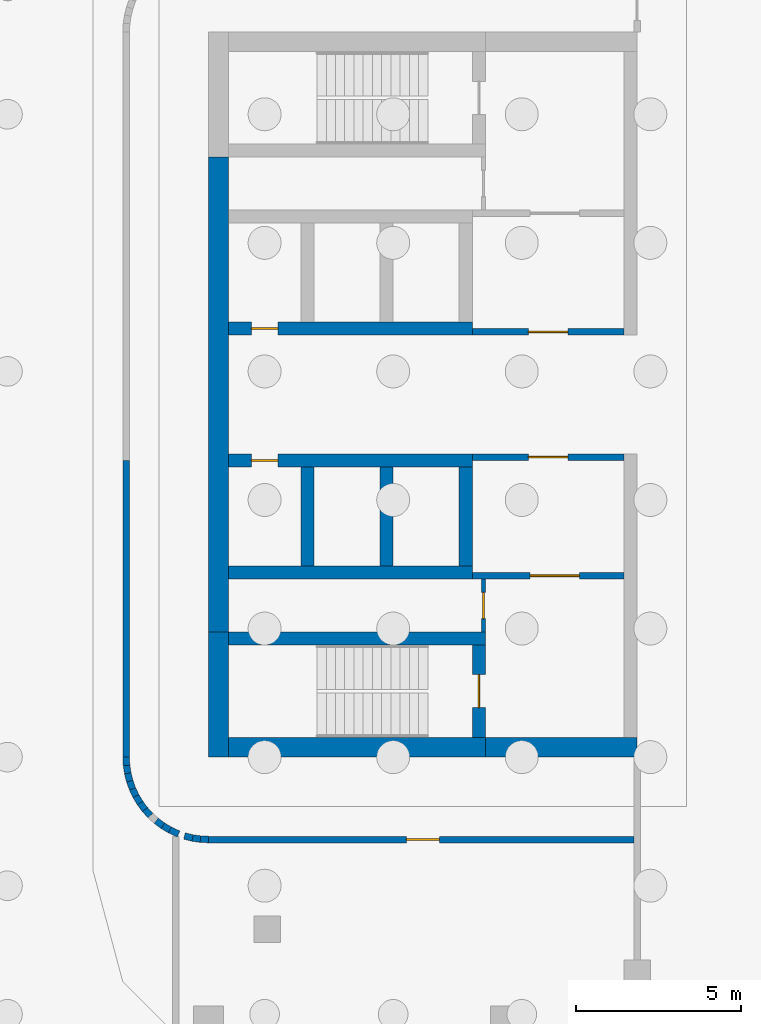
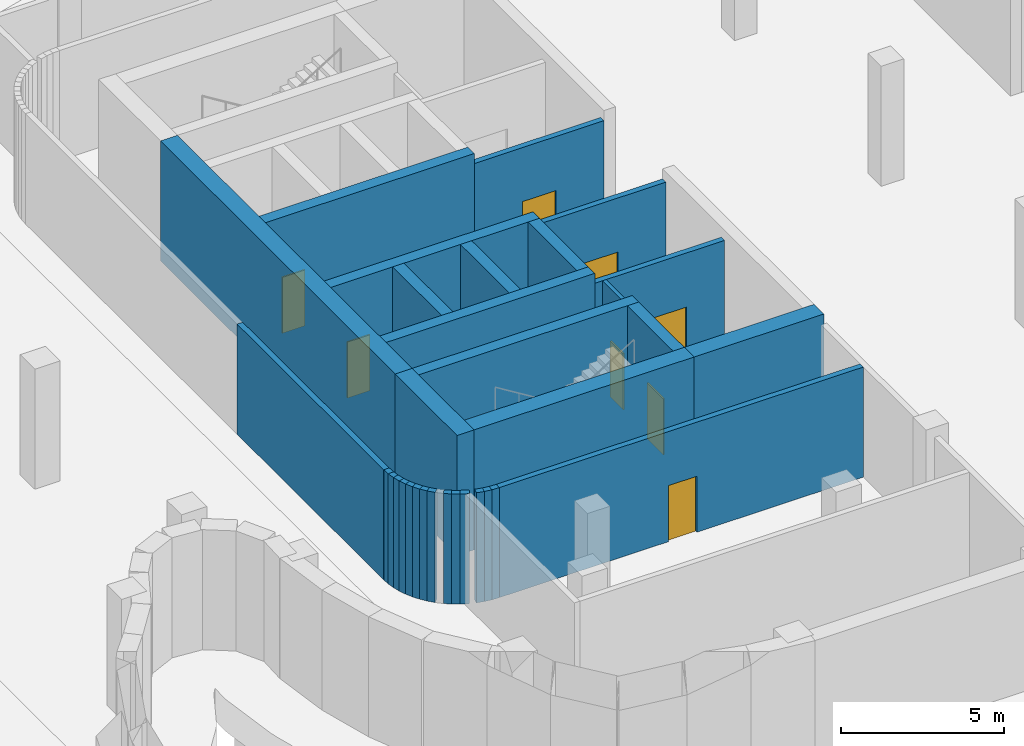
# One storey, part 9 of 18: 32 walls, 8 doors, 8 openings.
"""IFC4 building model written with IfcOpenShell, lengths in metres."""

from ifc_helpers import new_model, si_unit, direction, frame, frame_2d, origin, place, context, subcontext, project, spatial, rectangle, extrude, material, layer, layer_set, type_object, element, fill, save


model = new_model("IFC4")

# Units and contexts
model_context = context("Model", 3, precision=1e-05, world=origin(), true_north=direction((0.0, 1.0)))
body_context = subcontext(model_context, "Body", "Model", "MODEL_VIEW")
ifc_project = project(units=[si_unit("LENGTHUNIT", "METRE"), si_unit("AREAUNIT", "SQUARE_METRE"), si_unit("VOLUMEUNIT", "CUBIC_METRE"), si_unit("PLANEANGLEUNIT", "RADIAN"), si_unit("MASSUNIT", "GRAM", prefix="KILO")], contexts=[model_context])

# Site, building, storey
site_placement = place(None, origin())
site = spatial("IfcSite", under=ifc_project, at=site_placement, CompositionType="ELEMENT")
building_placement = place(site_placement, origin())
building = spatial("IfcBuilding", under=site, at=building_placement, Name="Skarvind Civic Tower", CompositionType="ELEMENT")
storey_placement = place(building_placement, frame((0.0, 0.0, -9.0)))
storey = spatial("IfcBuildingStorey", under=building, at=storey_placement, Name="B2", CompositionType="ELEMENT", Elevation=-9.0)

# Wall, opening, door
ifc_material_1 = material(Name="Fire-rated masonry partition", Category="masonry")
ifc_layer_1 = layer(ifc_material_1, 0.199951171875)
ifc_layer_set_1 = layer_set([ifc_layer_1], Name="Core enclosure wall 200")
wall_type_1 = type_object("IfcWallType", Name="Core enclosure wall 200", PredefinedType="PARTITIONING", material=ifc_layer_set_1)
wall_1_placement = place(storey_placement, frame((135.0, 129.89990234375, 0.0), z_axis=(0.0, 0.0, 1.0), x_axis=(1.0, 0.0, 0.0)))
wall_1 = element("IfcWall", 1, at=wall_1_placement, inside=storey, type_object=wall_type_1, Name="Core wall CA", PredefinedType="PARTITIONING", context=body_context, shape_type="SweptSolid", body=[
    extrude(rectangle(XDim=4.60009765625, YDim=0.199951171875, at=frame_2d((2.300048828125, 0.0))), origin(), (0.0, 0.0, 1.0), 4.125),
])
opening_1_placement = place(wall_1_placement, frame((1.699951171875, 0.0, 0.0)))
opening_1 = element("IfcOpeningElement", 2, at=opening_1_placement, cuts=wall_1, Name="Opening D-B2-CA-03", PredefinedType="OPENING", context=body_context, shape_type="SweptSolid", body=[
    extrude(rectangle(XDim=1.199951171875, YDim=2.10009765625, at=frame_2d((0.60009765625, 1.050048828125))), frame((0.0, 0.10986328125, 0.0), z_axis=(0.0, -1.0, 0.0), x_axis=(1.0, 0.0, 0.0)), (0.0, 0.0, 1.0), 0.219970703125),
])
ifc_material_2 = material(Name="Fire-rated steel door", Category="steel")
door_type_1 = type_object("IfcDoorType", Name="Core lobby door 1200", OperationType="NOTDEFINED", PredefinedType="DOOR", material=ifc_material_2)
door_1_placement = place(opening_1_placement, origin())
door_1 = element("IfcDoor", 3, at=door_1_placement, inside=storey, type_object=door_type_1, Name="Fire door", OperationType="DOUBLE_DOOR_SINGLE_SWING", OverallHeight=2.10009765625, OverallWidth=1.199951171875, PredefinedType="DOOR", context=body_context, shape_type="SweptSolid", body=[
    extrude(rectangle(XDim=1.199951171875, YDim=2.10009765625, at=frame_2d((0.60009765625, 1.050048828125))), frame((0.0, 0.02490234375, 0.0), z_axis=(0.0, -1.0, 0.0), x_axis=(1.0, 0.0, 0.0)), (0.0, 0.0, 1.0), 0.050048828125),
])
fill(opening_1, door_1)

wall_2_placement = place(storey_placement, frame((139.60009765625, 126.10009765625, 0.0), z_axis=(0.0, 0.0, 1.0), x_axis=(-1.0, 0.0, 0.0)))
wall_2 = element("IfcWall", 4, at=wall_2_placement, inside=storey, type_object=wall_type_1, Name="Core wall CA", PredefinedType="PARTITIONING", context=body_context, shape_type="SweptSolid", body=[
    extrude(rectangle(XDim=4.60009765625, YDim=0.199951171875, at=frame_2d((2.300048828125, 0.0))), origin(), (0.0, 0.0, 1.0), 4.125),
])
opening_2_placement = place(wall_2_placement, frame((1.699951171875, 0.0, 0.0)))
opening_2 = element("IfcOpeningElement", 5, at=opening_2_placement, cuts=wall_2, Name="Opening D-B2-CA-07", PredefinedType="OPENING", context=body_context, shape_type="SweptSolid", body=[
    extrude(rectangle(XDim=1.199951171875, YDim=2.10009765625, at=frame_2d((0.60009765625, 1.050048828125))), frame((0.0, 0.10986328125, 0.0), z_axis=(0.0, -1.0, 0.0), x_axis=(1.0, 0.0, 0.0)), (0.0, 0.0, 1.0), 0.219970703125),
])
door_2_placement = place(opening_2_placement, origin())
door_2 = element("IfcDoor", 6, at=door_2_placement, inside=storey, type_object=door_type_1, Name="Fire door", OperationType="DOUBLE_DOOR_SINGLE_SWING", OverallHeight=2.10009765625, OverallWidth=1.199951171875, PredefinedType="DOOR", context=body_context, shape_type="SweptSolid", body=[
    extrude(rectangle(XDim=1.199951171875, YDim=2.10009765625, at=frame_2d((0.60009765625, 1.050048828125))), frame((0.0, 0.02490234375, 0.0), z_axis=(0.0, -1.0, 0.0), x_axis=(1.0, 0.0, 0.0)), (0.0, 0.0, 1.0), 0.050048828125),
])
fill(opening_2, door_2)

wall_3_placement = place(storey_placement, frame((139.60009765625, 122.5, 0.0), z_axis=(0.0, 0.0, 1.0), x_axis=(-1.0, 0.0, 0.0)))
wall_3 = element("IfcWall", 7, at=wall_3_placement, inside=storey, type_object=wall_type_1, Name="Core wall CA", PredefinedType="PARTITIONING", context=body_context, shape_type="SweptSolid", body=[
    extrude(rectangle(XDim=4.60009765625, YDim=0.199951171875, at=frame_2d((2.300048828125, 0.0))), origin(), (0.0, 0.0, 1.0), 4.125),
])
opening_3_placement = place(wall_3_placement, frame((1.35009765625, 0.0, 0.0)))
opening_3 = element("IfcOpeningElement", 8, at=opening_3_placement, cuts=wall_3, Name="Opening D-B2-CA-08", PredefinedType="OPENING", context=body_context, shape_type="SweptSolid", body=[
    extrude(rectangle(XDim=1.5, YDim=2.10009765625, at=frame_2d((0.75, 1.050048828125))), frame((0.0, 0.10986328125, 0.0), z_axis=(0.0, -1.0, 0.0), x_axis=(1.0, 0.0, 0.0)), (0.0, 0.0, 1.0), 0.219970703125),
])
door_type_2 = type_object("IfcDoorType", Name="Fire door 1500", OperationType="NOTDEFINED", PredefinedType="DOOR", material=ifc_material_2)
door_3_placement = place(opening_3_placement, origin())
door_3 = element("IfcDoor", 9, at=door_3_placement, inside=storey, type_object=door_type_2, Name="Fire door", OperationType="DOUBLE_DOOR_SINGLE_SWING", OverallHeight=2.10009765625, OverallWidth=1.5, PredefinedType="DOOR", context=body_context, shape_type="SweptSolid", body=[
    extrude(rectangle(XDim=1.5, YDim=2.10009765625, at=frame_2d((0.75, 1.050048828125))), frame((0.0, 0.02490234375, 0.0), z_axis=(0.0, -1.0, 0.0), x_axis=(1.0, 0.0, 0.0)), (0.0, 0.0, 1.0), 0.050048828125),
])
fill(opening_3, door_3)

# Wall
ifc_material_3 = material(Name="Concrete C80", Category="concrete")
ifc_layer_2 = layer(ifc_material_3, 0.39990234375)
ifc_layer_set_2 = layer_set([ifc_layer_2], Name="Core wall 400 C80")
wall_type_2 = type_object("IfcWallType", Name="Core wall 400 C80", PredefinedType="SHEAR", material=ifc_layer_set_2)
wall_4_placement = place(storey_placement, frame((127.60009765625, 120.60009765625, 0.0), z_axis=(0.0, 0.0, 1.0), x_axis=(1.0, 0.0, 0.0)))
element("IfcWall", 10, at=wall_4_placement, inside=storey, type_object=wall_type_2, Name="Core wall CA south stair inner B2", PredefinedType="SHEAR", context=body_context, shape_type="SweptSolid", body=[
    extrude(rectangle(XDim=7.7998046875, YDim=0.39990234375, at=frame_2d((3.89990234375, 0.0))), origin(), (0.0, 0.0, 1.0), 4.5),
])

# Wall, opening, door
wall_5_placement = place(storey_placement, frame((135.199951171875, 117.60009765625, 0.0), z_axis=(0.0, 0.0, 1.0), x_axis=(0.0, 1.0, 0.0)))
wall_5 = element("IfcWall", 11, at=wall_5_placement, inside=storey, type_object=wall_type_2, Name="Core wall CA south stair end B2", PredefinedType="SHEAR", context=body_context, shape_type="SweptSolid", body=[
    extrude(rectangle(XDim=2.7998046875, YDim=0.39990234375, at=frame_2d((1.39990234375, 0.0))), origin(), (0.0, 0.0, 1.0), 4.5),
])
opening_4_placement = place(wall_5_placement, frame((0.89990234375, 0.0, 0.0)))
opening_4 = element("IfcOpeningElement", 12, at=opening_4_placement, cuts=wall_5, Name="Opening D-B2-CA-09", PredefinedType="OPENING", context=body_context, shape_type="SweptSolid", body=[
    extrude(rectangle(XDim=1.0, YDim=2.10009765625, at=frame_2d((0.5, 1.050048828125))), frame((0.0, 0.2099609375, 0.0), z_axis=(0.0, -1.0, 0.0), x_axis=(1.0, 0.0, 0.0)), (0.0, 0.0, 1.0), 0.419921875),
])
door_type_3 = type_object("IfcDoorType", Name="Fire door 1000", OperationType="NOTDEFINED", PredefinedType="DOOR", material=ifc_material_2)
door_4_placement = place(opening_4_placement, origin())
door_4 = element("IfcDoor", 13, at=door_4_placement, inside=storey, type_object=door_type_3, Name="Fire door", OperationType="SINGLE_SWING_RIGHT", OverallHeight=2.10009765625, OverallWidth=1.0, PredefinedType="DOOR", context=body_context, shape_type="SweptSolid", body=[
    extrude(rectangle(XDim=1.0, YDim=2.10009765625, at=frame_2d((0.5, 1.050048828125))), frame((0.0, 0.02490234375, 0.0), z_axis=(0.0, -1.0, 0.0), x_axis=(1.0, 0.0, 0.0)), (0.0, 0.0, 1.0), 0.050048828125),
])
fill(opening_4, door_4)

wall_6_placement = place(storey_placement, frame((127.60009765625, 126.0, 0.0), z_axis=(0.0, 0.0, 1.0), x_axis=(1.0, 0.0, 0.0)))
wall_6 = element("IfcWall", 14, at=wall_6_placement, inside=storey, type_object=wall_type_2, Name="Core wall CA south lift row front B2", PredefinedType="SHEAR", context=body_context, shape_type="SweptSolid", body=[
    extrude(rectangle(XDim=7.39990234375, YDim=0.39990234375, at=frame_2d((3.699951171875, 0.0))), origin(), (0.0, 0.0, 1.0), 4.5),
])
opening_5_placement = place(wall_6_placement, frame((0.699951171875, 0.0, 0.0)))
opening_5 = element("IfcOpeningElement", 15, at=opening_5_placement, cuts=wall_6, Name="Opening D-B2-CA-02", PredefinedType="OPENING", context=body_context, shape_type="SweptSolid", body=[
    extrude(rectangle(XDim=0.800048828125, YDim=2.10009765625, at=frame_2d((0.39990234375, 1.050048828125))), frame((0.0, 0.2099609375, 0.0), z_axis=(0.0, -1.0, 0.0), x_axis=(1.0, 0.0, 0.0)), (0.0, 0.0, 1.0), 0.419921875),
])
door_type_4 = type_object("IfcDoorType", Name="Core riser door 800", OperationType="NOTDEFINED", PredefinedType="DOOR", material=ifc_material_2)
door_5_placement = place(opening_5_placement, origin())
door_5 = element("IfcDoor", 16, at=door_5_placement, inside=storey, type_object=door_type_4, Name="Riser door", OperationType="SINGLE_SWING_RIGHT", OverallHeight=2.10009765625, OverallWidth=0.800048828125, PredefinedType="DOOR", context=body_context, shape_type="SweptSolid", body=[
    extrude(rectangle(XDim=0.800048828125, YDim=2.10009765625, at=frame_2d((0.39990234375, 1.050048828125))), frame((0.0, 0.02490234375, 0.0), z_axis=(0.0, -1.0, 0.0), x_axis=(1.0, 0.0, 0.0)), (0.0, 0.0, 1.0), 0.050048828125),
])
fill(opening_5, door_5)

# Walls
wall_7_placement = place(storey_placement, frame((127.60009765625, 122.60009765625, 0.0), z_axis=(0.0, 0.0, 1.0), x_axis=(1.0, 0.0, 0.0)))
element("IfcWall", 17, at=wall_7_placement, inside=storey, type_object=wall_type_2, Name="Core wall CA south lift row back B2", PredefinedType="SHEAR", context=body_context, shape_type="SweptSolid", body=[
    extrude(rectangle(XDim=7.39990234375, YDim=0.39990234375, at=frame_2d((3.699951171875, 0.0))), origin(), (0.0, 0.0, 1.0), 4.5),
])
for number, where, z_axis, x_axis, name in (
    (18, (130.0, 122.800048828125, 0.0), (0.0, 0.0, 1.0), (0.0, 1.0, 0.0), "Core wall CA south lift row division 1 B2"),
    (19, (132.39990234375, 122.800048828125, 0.0), (0.0, 0.0, 1.0), (0.0, 1.0, 0.0), "Core wall CA south lift row division 2 B2"),
    (20, (134.800048828125, 122.800048828125, 0.0), (0.0, 0.0, 1.0), (0.0, 1.0, 0.0), "Core wall CA south lift row division 3 B2"),
):
    element("IfcWall", number, at=place(storey_placement, frame(where, z_axis=z_axis, x_axis=x_axis)), inside=storey, type_object=wall_type_2, Name=name, PredefinedType="SHEAR", context=body_context, shape_type="SweptSolid", body=[
        extrude(rectangle(XDim=3.0, YDim=0.39990234375, at=frame_2d((1.5, 0.0))), origin(), (0.0, 0.0, 1.0), 4.5),
    ])

# Wall, opening, door
wall_8_placement = place(storey_placement, frame((127.60009765625, 130.0, 0.0), z_axis=(0.0, 0.0, 1.0), x_axis=(1.0, 0.0, 0.0)))
wall_8 = element("IfcWall", 21, at=wall_8_placement, inside=storey, type_object=wall_type_2, Name="Core wall CA north lift row front B2", PredefinedType="SHEAR", context=body_context, shape_type="SweptSolid", body=[
    extrude(rectangle(XDim=7.39990234375, YDim=0.39990234375, at=frame_2d((3.699951171875, 0.0))), origin(), (0.0, 0.0, 1.0), 4.5),
])
opening_6_placement = place(wall_8_placement, frame((0.699951171875, 0.0, 0.0)))
opening_6 = element("IfcOpeningElement", 22, at=opening_6_placement, cuts=wall_8, Name="Opening D-B2-CA-01", PredefinedType="OPENING", context=body_context, shape_type="SweptSolid", body=[
    extrude(rectangle(XDim=0.800048828125, YDim=2.10009765625, at=frame_2d((0.39990234375, 1.050048828125))), frame((0.0, 0.2099609375, 0.0), z_axis=(0.0, -1.0, 0.0), x_axis=(1.0, 0.0, 0.0)), (0.0, 0.0, 1.0), 0.419921875),
])
door_6_placement = place(opening_6_placement, origin())
door_6 = element("IfcDoor", 23, at=door_6_placement, inside=storey, type_object=door_type_4, Name="Riser door", OperationType="SINGLE_SWING_LEFT", OverallHeight=2.10009765625, OverallWidth=0.800048828125, PredefinedType="DOOR", context=body_context, shape_type="SweptSolid", body=[
    extrude(rectangle(XDim=0.800048828125, YDim=2.10009765625, at=frame_2d((0.39990234375, 1.050048828125))), frame((0.0, 0.02490234375, 0.0), z_axis=(0.0, -1.0, 0.0), x_axis=(1.0, 0.0, 0.0)), (0.0, 0.0, 1.0), 0.050048828125),
])
fill(opening_6, door_6)

# Walls
ifc_layer_3 = layer(ifc_material_3, 0.60009765625)
ifc_layer_set_3 = layer_set([ifc_layer_3], Name="Core wall 600 C80")
wall_type_3 = type_object("IfcWallType", Name="Core wall 600 C80", PredefinedType="SHEAR", material=ifc_layer_set_3)
wall_9_placement = place(storey_placement, frame((127.300048828125, 117.0, 0.0), z_axis=(0.0, 0.0, 1.0), x_axis=(0.0, 1.0, 0.0)))
element("IfcWall", 24, at=wall_9_placement, inside=storey, type_object=wall_type_3, Name="Core wall CA tip at the south stair B2", PredefinedType="SHEAR", context=body_context, shape_type="SweptSolid", body=[
    extrude(rectangle(XDim=3.800048828125, YDim=0.60009765625, at=frame_2d((1.89990234375, 0.0))), origin(), (0.0, 0.0, 1.0), 4.5),
])
wall_10_placement = place(storey_placement, frame((127.300048828125, 120.800048828125, 0.0), z_axis=(0.0, 0.0, 1.0), x_axis=(0.0, 1.0, 0.0)))
element("IfcWall", 25, at=wall_10_placement, inside=storey, type_object=wall_type_3, Name="Core wall CA tip between the stairs B2", PredefinedType="SHEAR", context=body_context, shape_type="SweptSolid", body=[
    extrude(rectangle(XDim=14.39990234375, YDim=0.60009765625, at=frame_2d((7.199951171875, 0.0))), origin(), (0.0, 0.0, 1.0), 4.5),
])
wall_11_placement = place(storey_placement, frame((127.60009765625, 117.300048828125, 0.0), z_axis=(0.0, 0.0, 1.0), x_axis=(1.0, 0.0, 0.0)))
element("IfcWall", 26, at=wall_11_placement, inside=storey, type_object=wall_type_3, Name="Core wall CA south side at the stair B2", PredefinedType="SHEAR", context=body_context, shape_type="SweptSolid", body=[
    extrude(rectangle(XDim=7.7998046875, YDim=0.60009765625, at=frame_2d((3.89990234375, 0.0))), origin(), (0.0, 0.0, 1.0), 4.5),
])
wall_12_placement = place(storey_placement, frame((135.39990234375, 117.300048828125, 0.0), z_axis=(0.0, 0.0, 1.0), x_axis=(1.0, 0.0, 0.0)))
element("IfcWall", 27, at=wall_12_placement, inside=storey, type_object=wall_type_3, Name="Core wall CA south side B2", PredefinedType="SHEAR", context=body_context, shape_type="SweptSolid", body=[
    extrude(rectangle(XDim=4.60009765625, YDim=0.60009765625, at=frame_2d((2.300048828125, 0.0))), origin(), (0.0, 0.0, 1.0), 4.5),
])
ifc_material_4 = material(Name="Fire-rated blockwork wall, plastered", Category="masonry")
ifc_layer_4 = layer(ifc_material_4, 0.199951171875)
ifc_layer_set_4 = layer_set([ifc_layer_4], Name="FIRE WALL 200 EI 120")
wall_type_4 = type_object("IfcWallType", Name="FIRE WALL 200 EI 120", PredefinedType="PARTITIONING", material=ifc_layer_set_4)
wall_13_placement = place(storey_placement, frame((124.5, 116.998046875, 0.0), z_axis=(0.0, 0.0, 1.0), x_axis=(0.0, 1.0, 0.0)))
element("IfcWall", 28, at=wall_13_placement, inside=storey, type_object=wall_type_4, Name="Basement partition B2 039", PredefinedType="PARTITIONING", context=body_context, shape_type="SweptSolid", body=[
    extrude(rectangle(XDim=9.001953125, YDim=0.199951171875, at=frame_2d((4.5009765625, 0.0))), origin(), (0.0, 0.0, 1.0), 4.125),
])
wall_14_placement = place(storey_placement, frame((124.5, 117.001953125, 0.0), z_axis=(0.0, 0.0, 1.0), x_axis=(0.047427190102, -0.998874697667, 0.0)))
element("IfcWall", 29, at=wall_14_placement, inside=storey, type_object=wall_type_4, Name="Basement partition B2 040", PredefinedType="PARTITIONING", context=body_context, shape_type="SweptSolid", body=[
    extrude(rectangle(XDim=0.252197265625, YDim=0.199951171875, at=frame_2d((0.1259765625, 0.0))), origin(), (0.0, 0.0, 1.0), 4.125),
])
wall_15_placement = place(storey_placement, frame((124.510986328125, 116.760009765625, 0.0), z_axis=(0.0, 0.0, 1.0), x_axis=(0.148900521377, -0.988852180426, 0.0)))
element("IfcWall", 30, at=wall_15_placement, inside=storey, type_object=wall_type_4, Name="Basement partition B2 043", PredefinedType="PARTITIONING", context=body_context, shape_type="SweptSolid", body=[
    extrude(rectangle(XDim=0.255859375, YDim=0.199951171875, at=frame_2d((0.1279296875, 0.0))), origin(), (0.0, 0.0, 1.0), 4.125),
])
wall_16_placement = place(storey_placement, frame((124.547119140625, 116.51708984375, 0.0), z_axis=(0.0, 0.0, 1.0), x_axis=(0.241636616978, -0.970366809683, 0.0)))
element("IfcWall", 31, at=wall_16_placement, inside=storey, type_object=wall_type_4, Name="Basement partition B2 045", PredefinedType="PARTITIONING", context=body_context, shape_type="SweptSolid", body=[
    extrude(rectangle(XDim=0.255615234375, YDim=0.199951171875, at=frame_2d((0.1279296875, 0.0))), origin(), (0.0, 0.0, 1.0), 4.125),
])
wall_17_placement = place(storey_placement, frame((124.60595703125, 116.278076171875, 0.0), z_axis=(0.0, 0.0, 1.0), x_axis=(0.337125007331, -0.941459892631, 0.0)))
element("IfcWall", 32, at=wall_17_placement, inside=storey, type_object=wall_type_4, Name="Basement partition B2 047", PredefinedType="PARTITIONING", context=body_context, shape_type="SweptSolid", body=[
    extrude(rectangle(XDim=0.2548828125, YDim=0.199951171875, at=frame_2d((0.12744140625, 0.0))), origin(), (0.0, 0.0, 1.0), 4.125),
])
wall_18_placement = place(storey_placement, frame((124.68798828125, 116.048095703125, 0.0), z_axis=(0.0, 0.0, 1.0), x_axis=(0.4287046499, -0.903444698448, 0.0)))
element("IfcWall", 33, at=wall_18_placement, inside=storey, type_object=wall_type_4, Name="Basement partition B2 049", PredefinedType="PARTITIONING", context=body_context, shape_type="SweptSolid", body=[
    extrude(rectangle(XDim=0.254638671875, YDim=0.199951171875, at=frame_2d((0.12744140625, 0.0))), origin(), (0.0, 0.0, 1.0), 4.125),
])
wall_19_placement = place(storey_placement, frame((124.79296875, 115.825927734375, 0.0), z_axis=(0.0, 0.0, 1.0), x_axis=(0.513651517527, -0.857998903579, 0.0)))
element("IfcWall", 34, at=wall_19_placement, inside=storey, type_object=wall_type_4, Name="Basement partition B2 051", PredefinedType="PARTITIONING", context=body_context, shape_type="SweptSolid", body=[
    extrude(rectangle(XDim=0.255126953125, YDim=0.199951171875, at=frame_2d((0.12744140625, 0.0))), origin(), (0.0, 0.0, 1.0), 4.125),
])
wall_20_placement = place(storey_placement, frame((124.91796875, 115.614990234375, 0.0), z_axis=(0.0, 0.0, 1.0), x_axis=(0.595707657713, -0.803201336243, 0.0)))
element("IfcWall", 35, at=wall_20_placement, inside=storey, type_object=wall_type_4, Name="Basement partition B2 053", PredefinedType="PARTITIONING", context=body_context, shape_type="SweptSolid", body=[
    extrude(rectangle(XDim=0.25537109375, YDim=0.199951171875, at=frame_2d((0.127685546875, 0.0))), origin(), (0.0, 0.0, 1.0), 4.125),
])
wall_21_placement = place(storey_placement, frame((125.06396484375, 115.41796875, 0.0), z_axis=(0.0, 0.0, 1.0), x_axis=(0.66938668015, -0.742914175687, 0.0)))
element("IfcWall", 36, at=wall_21_placement, inside=storey, type_object=wall_type_4, Name="Basement partition B2 055", PredefinedType="PARTITIONING", context=body_context, shape_type="SweptSolid", body=[
    extrude(rectangle(XDim=0.255615234375, YDim=0.199951171875, at=frame_2d((0.1279296875, 0.0))), origin(), (0.0, 0.0, 1.0), 4.125),
])
wall_22_placement = place(storey_placement, frame((125.409912109375, 115.070068359375, 0.0), z_axis=(0.0, 0.0, 1.0), x_axis=(0.803201336243, -0.595707657713, 0.0)))
element("IfcWall", 37, at=wall_22_placement, inside=storey, type_object=wall_type_4, Name="Basement partition B2 059", PredefinedType="PARTITIONING", context=body_context, shape_type="SweptSolid", body=[
    extrude(rectangle(XDim=0.25537109375, YDim=0.199951171875, at=frame_2d((0.127685546875, 0.0))), origin(), (0.0, 0.0, 1.0), 4.125),
])
wall_23_placement = place(storey_placement, frame((125.60693359375, 114.924072265625, 0.0), z_axis=(0.0, 0.0, 1.0), x_axis=(0.857998903579, -0.513651517527, 0.0)))
element("IfcWall", 38, at=wall_23_placement, inside=storey, type_object=wall_type_4, Name="Basement partition B2 061", PredefinedType="PARTITIONING", context=body_context, shape_type="SweptSolid", body=[
    extrude(rectangle(XDim=0.255126953125, YDim=0.199951171875, at=frame_2d((0.12744140625, 0.0))), origin(), (0.0, 0.0, 1.0), 4.125),
])
wall_24_placement = place(storey_placement, frame((125.818115234375, 114.797119140625, 0.0), z_axis=(0.0, 0.0, 1.0), x_axis=(0.902065692634, -0.431598755991, 0.0)))
element("IfcWall", 39, at=wall_24_placement, inside=storey, type_object=wall_type_4, Name="Basement partition B2 063", PredefinedType="PARTITIONING", context=body_context, shape_type="SweptSolid", body=[
    extrude(rectangle(XDim=0.301513671875, YDim=0.199951171875, at=frame_2d((0.15087890625, 0.0))), origin(), (0.0, 0.0, 1.0), 4.125),
])
ifc_layer_5 = layer(ifc_material_4, 0.199951171875)
ifc_layer_set_5 = layer_set([ifc_layer_5], Name="FIRE WALL 200 EI 60")
wall_type_5 = type_object("IfcWallType", Name="FIRE WALL 200 EI 60", PredefinedType="PARTITIONING", material=ifc_layer_set_5)
wall_25_placement = place(storey_placement, frame((126.26904296875, 114.60888671875, 0.0), z_axis=(0.0, 0.0, 1.0), x_axis=(0.970366809683, -0.241636616978, 0.0)))
element("IfcWall", 40, at=wall_25_placement, inside=storey, type_object=wall_type_5, Name="Basement partition B2 071", PredefinedType="PARTITIONING", context=body_context, shape_type="SweptSolid", body=[
    extrude(rectangle(XDim=0.255615234375, YDim=0.199951171875, at=frame_2d((0.1279296875, 0.0))), origin(), (0.0, 0.0, 1.0), 4.125),
])
wall_26_placement = place(storey_placement, frame((126.507080078125, 114.549072265625, 0.0), z_axis=(0.0, 0.0, 1.0), x_axis=(0.988852180426, -0.148900521377, 0.0)))
element("IfcWall", 41, at=wall_26_placement, inside=storey, type_object=wall_type_5, Name="Basement partition B2 073", PredefinedType="PARTITIONING", context=body_context, shape_type="SweptSolid", body=[
    extrude(rectangle(XDim=0.255859375, YDim=0.199951171875, at=frame_2d((0.1279296875, 0.0))), origin(), (0.0, 0.0, 1.0), 4.125),
])
wall_27_placement = place(storey_placement, frame((126.75, 114.511962890625, 0.0), z_axis=(0.0, 0.0, 1.0), x_axis=(0.998874697667, -0.047427190102, 0.0)))
element("IfcWall", 42, at=wall_27_placement, inside=storey, type_object=wall_type_5, Name="Basement partition B2 075", PredefinedType="PARTITIONING", context=body_context, shape_type="SweptSolid", body=[
    extrude(rectangle(XDim=0.252197265625, YDim=0.199951171875, at=frame_2d((0.1259765625, 0.0))), origin(), (0.0, 0.0, 1.0), 4.125),
])

# Wall, opening, door
wall_28_placement = place(storey_placement, frame((139.89990234375, 114.5, 0.0), z_axis=(0.0, 0.0, 1.0), x_axis=(-1.0, 0.0, 0.0)))
wall_28 = element("IfcWall", 43, at=wall_28_placement, inside=storey, type_object=wall_type_5, Name="Basement partition B2 077", PredefinedType="PARTITIONING", context=body_context, shape_type="SweptSolid", body=[
    extrude(rectangle(XDim=12.90185546875, YDim=0.199951171875, at=frame_2d((6.450927734375, 0.0))), origin(), (0.0, 0.0, 1.0), 4.125),
])
opening_7_placement = place(wall_28_placement, frame((5.89990234375, 0.0, 0.0)))
opening_7 = element("IfcOpeningElement", 44, at=opening_7_placement, cuts=wall_28, Name="Opening B2-D213", PredefinedType="OPENING", context=body_context, shape_type="SweptSolid", body=[
    extrude(rectangle(XDim=1.0, YDim=2.10009765625, at=frame_2d((0.5, 1.050048828125))), frame((0.0, 0.10986328125, 0.0), z_axis=(0.0, -1.0, 0.0), x_axis=(1.0, 0.0, 0.0)), (0.0, 0.0, 1.0), 0.219970703125),
])
ifc_material_5 = material(Name="Painted steel fire door leaf", Category="steel")
door_type_5 = type_object("IfcDoorType", Name="FIRE DOOR 1000X2100 STEEL", OperationType="NOTDEFINED", PredefinedType="DOOR", material=ifc_material_5)
door_7_placement = place(opening_7_placement, origin())
door_7 = element("IfcDoor", 45, at=door_7_placement, inside=storey, type_object=door_type_5, Name="FIRE DOOR", OperationType="SINGLE_SWING_LEFT", OverallHeight=2.10009765625, OverallWidth=1.0, PredefinedType="DOOR", context=body_context, shape_type="SweptSolid", body=[
    extrude(rectangle(XDim=1.0, YDim=2.10009765625, at=frame_2d((0.5, 1.050048828125))), frame((0.0, 0.02490234375, 0.0), z_axis=(0.0, -1.0, 0.0), x_axis=(1.0, 0.0, 0.0)), (0.0, 0.0, 1.0), 0.050048828125),
])
fill(opening_7, door_7)

ifc_layer_6 = layer(ifc_material_1, 0.125)
ifc_layer_set_6 = layer_set([ifc_layer_6], Name="Riser wall 125")
wall_type_6 = type_object("IfcWallType", Name="Riser wall 125", PredefinedType="PARTITIONING", material=ifc_layer_set_6)
wall_29_placement = place(storey_placement, frame((135.33740234375, 122.39990234375, 0.0), z_axis=(0.0, 0.0, 1.0), x_axis=(0.0, -1.0, 0.0)))
wall_29 = element("IfcWall", 46, at=wall_29_placement, inside=storey, type_object=wall_type_6, Name="Core wall CA", PredefinedType="PARTITIONING", context=body_context, shape_type="SweptSolid", body=[
    extrude(rectangle(XDim=1.599853515625, YDim=0.125, at=frame_2d((0.7998046875, 0.0))), origin(), (0.0, 0.0, 1.0), 4.125),
])
opening_8_placement = place(wall_29_placement, frame((0.39990234375, 0.0, 0.0)))
opening_8 = element("IfcOpeningElement", 47, at=opening_8_placement, cuts=wall_29, Name="Opening D-B2-CA-10", PredefinedType="OPENING", context=body_context, shape_type="SweptSolid", body=[
    extrude(rectangle(XDim=0.800048828125, YDim=2.10009765625, at=frame_2d((0.39990234375, 1.050048828125))), frame((0.0, 0.072509765625, 0.0), z_axis=(0.0, -1.0, 0.0), x_axis=(1.0, 0.0, 0.0)), (0.0, 0.0, 1.0), 0.14501953125),
])
door_8_placement = place(opening_8_placement, origin())
door_8 = element("IfcDoor", 48, at=door_8_placement, inside=storey, type_object=door_type_4, Name="Riser door", OperationType="SINGLE_SWING_LEFT", OverallHeight=2.10009765625, OverallWidth=0.800048828125, PredefinedType="DOOR", context=body_context, shape_type="SweptSolid", body=[
    extrude(rectangle(XDim=0.800048828125, YDim=2.10009765625, at=frame_2d((0.39990234375, 1.050048828125))), frame((0.0, 0.02490234375, 0.0), z_axis=(0.0, -1.0, 0.0), x_axis=(1.0, 0.0, 0.0)), (0.0, 0.0, 1.0), 0.050048828125),
])
fill(opening_8, door_8)

save(model, "model.ifc")
